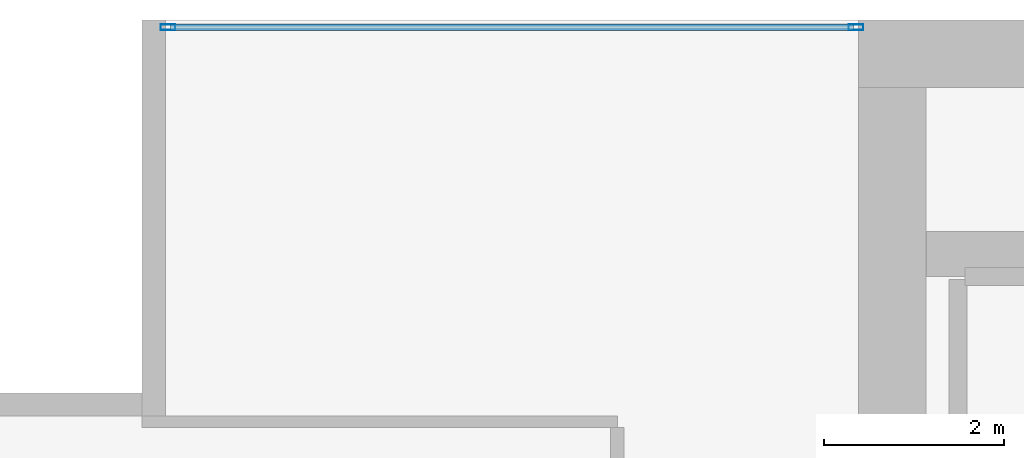
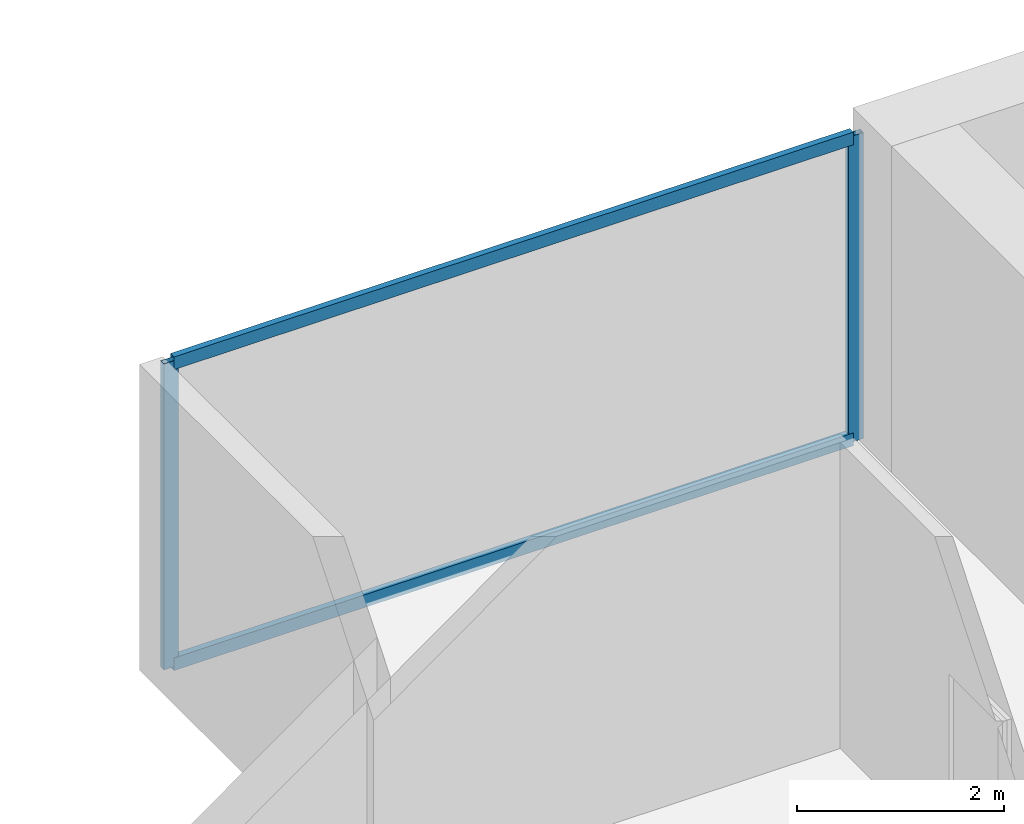
# One storey, part 22 of 34: 4 members, 1 element without a shape of its own.
"""IFC4 building model written with IfcOpenShell, lengths in metres."""

from ifc_helpers import new_model, si_unit, direction, frame, origin, origin_2d, place, context, subcontext, project, spatial, hollow_rectangle, extrude, material, layer, layer_set, material_profile, profile_set, type_object, element, aggregate, save


model = new_model("IFC4")

# Units and contexts
model_context = context("Model", 3, precision=1e-05, world=origin(), true_north=direction((0.0, 1.0)))
body_context = subcontext(model_context, "Body", "Model", "MODEL_VIEW")
ifc_project = project(units=[si_unit("LENGTHUNIT", "METRE"), si_unit("AREAUNIT", "SQUARE_METRE"), si_unit("VOLUMEUNIT", "CUBIC_METRE"), si_unit("PLANEANGLEUNIT", "RADIAN"), si_unit("MASSUNIT", "GRAM", prefix="KILO")], contexts=[model_context])

# Site, building, storey
site_placement = place(None, origin())
site = spatial("IfcSite", under=ifc_project, at=site_placement, CompositionType="ELEMENT")
building_placement = place(site_placement, origin())
building = spatial("IfcBuilding", under=site, at=building_placement, Name="Maruvema Waterfront Hotel and Observation Tower", CompositionType="ELEMENT")
storey_placement = place(building_placement, frame((0.0, 0.0, 127.39990234375)))
storey = spatial("IfcBuildingStorey", under=building, at=storey_placement, Name="L30", CompositionType="ELEMENT", Elevation=127.39990234375)

# Curtain wall, members
ifc_material_1 = material(Name="Anodised bronze aluminium and solar-control low-E IGU", Category="aluminium")
ifc_layer = layer(ifc_material_1, 0.159912109375, Name="Zone 2 Amber Inner Thermal Curtain Wall System CW-03")
ifc_layer_set = layer_set([ifc_layer], Name="Anodised bronze aluminium and solar-control low-E IGU")
curtain_wall_type = type_object("IfcCurtainWallType", Name="Zone 2 Amber Inner Thermal Curtain Wall System CW-03", PredefinedType="USERDEFINED", material=ifc_layer_set)
curtain_wall_placement = place(storey_placement, origin())
curtain_wall = element("IfcCurtainWall", 1, at=curtain_wall_placement, inside=storey, type_object=curtain_wall_type, Name="L30 Curtain Wall CW-L30-NW", ObjectType="UNITISED CURTAIN WALL", PredefinedType="USERDEFINED")
ifc_material_2 = material(Name="Anodised architectural bronze aluminium", Category="aluminium")
ifc_material_profile_1 = material_profile(ifc_material_2, hollow_rectangle(XDim=0.070068359375, YDim=0.14990234375, WallThickness=0.00390625, at=origin_2d()), Name="ALU-T70x150")
ifc_profile_set_1 = profile_set([ifc_material_profile_1], Name="Anodised architectural bronze aluminium")
member_type_1 = type_object("IfcMemberType", Name="Curtain Wall Horizontal Transom ALU-T70x150", PredefinedType="USERDEFINED", material=ifc_profile_set_1)
member_1_placement = place(storey_placement, frame((25.139892578125, 53.919921875, 0.030029296875), z_axis=(-1.0, 0.0, 0.0), x_axis=(0.0, -1.0, 0.0)))
member_1 = element("IfcMember", 2, at=member_1_placement, type_object=member_type_1, Name="CW-03 transom 1.1", ObjectType="TRANSOM", PredefinedType="USERDEFINED", context=body_context, shape_type="SweptSolid", body=[
    extrude(hollow_rectangle(XDim=0.070068359375, YDim=0.14990234375, WallThickness=0.00390625, at=origin_2d()), origin(), (0.0, 0.0, 1.0), 7.579833984375),
])
member_2_placement = place(storey_placement, frame((25.139892578125, 53.919921875, 3.580078125), z_axis=(-1.0, 0.0, 0.0), x_axis=(0.0, -1.0, 0.0)))
member_2 = element("IfcMember", 3, at=member_2_placement, type_object=member_type_1, Name="CW-03 transom 1.2", ObjectType="TRANSOM", PredefinedType="USERDEFINED", context=body_context, shape_type="SweptSolid", body=[
    extrude(hollow_rectangle(XDim=0.070068359375, YDim=0.14990234375, WallThickness=0.00390625, at=origin_2d()), origin(), (0.0, 0.0, 1.0), 7.579833984375),
])
ifc_material_3 = material(Name="Anodised architectural bronze aluminium", Category="aluminium")
ifc_material_profile_2 = material_profile(ifc_material_3, hollow_rectangle(XDim=0.06494140625, YDim=0.1650390625, WallThickness=0.00390625, at=origin_2d()), Name="ALU-M65x165")
ifc_profile_set_2 = profile_set([ifc_material_profile_2], Name="Anodised architectural bronze aluminium")
member_type_2 = type_object("IfcMemberType", Name="Curtain Wall Primary Mullion ALU-M65x165", PredefinedType="MULLION", material=ifc_profile_set_2)
member_3_placement = place(storey_placement, frame((25.169921875, 53.919921875, 0.0), z_axis=(0.0, 0.0, 1.0), x_axis=(0.0, -1.0, 0.0)))
member_3 = element("IfcMember", 4, at=member_3_placement, type_object=member_type_2, Name="CW-03 mullion 1", PredefinedType="MULLION", context=body_context, shape_type="SweptSolid", body=[
    extrude(hollow_rectangle(XDim=0.06494140625, YDim=0.1650390625, WallThickness=0.00390625, at=origin_2d()), origin(), (0.0, 0.0, 1.0), 3.610107421875),
])
member_4_placement = place(storey_placement, frame((17.530029296875, 53.919921875, 0.0), z_axis=(0.0, 0.0, 1.0), x_axis=(0.0, -1.0, 0.0)))
member_4 = element("IfcMember", 5, at=member_4_placement, type_object=member_type_2, Name="CW-03 mullion 2", PredefinedType="MULLION", context=body_context, shape_type="SweptSolid", body=[
    extrude(hollow_rectangle(XDim=0.06494140625, YDim=0.1650390625, WallThickness=0.00390625, at=origin_2d()), origin(), (0.0, 0.0, 1.0), 3.610107421875),
])
aggregate(curtain_wall, [member_3, member_4, member_1, member_2])

save(model, "model.ifc")
